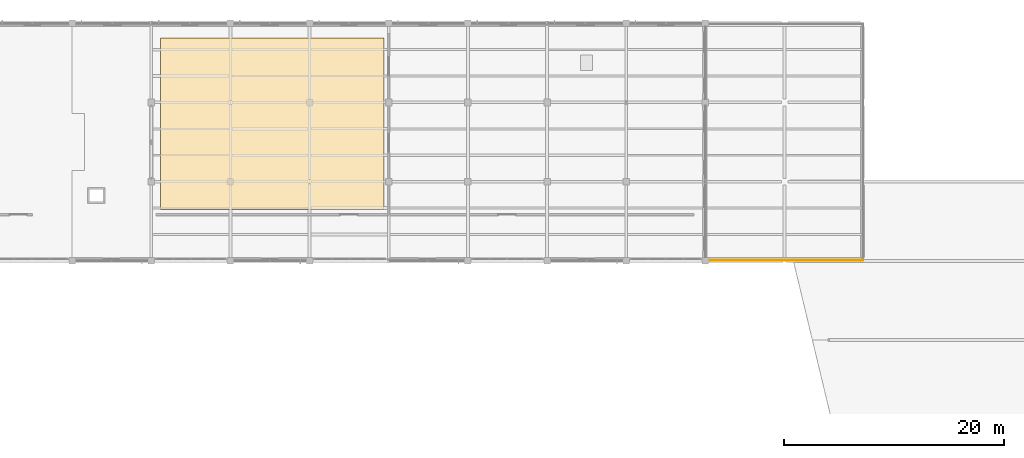
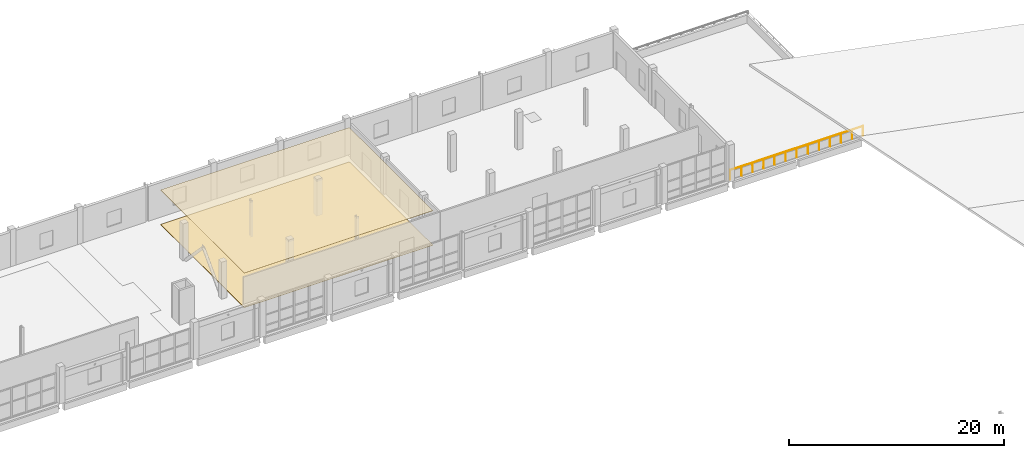
# One storey, part 91 of 94: 2 coverings, 1 railing.
"""IFC4 building model written with IfcOpenShell, lengths in metres."""

from ifc_helpers import new_model, si_unit, direction, frame, origin, origin_2d, place, context, subcontext, project, spatial, polyline, circle, outline, extrude, material, layer, layer_set, type_object, element, save


model = new_model("IFC4")

# Units and contexts
model_context = context("Model", 3, precision=1e-05, world=origin(), true_north=direction((0.0, 1.0)))
body_context = subcontext(model_context, "Body", "Model", "MODEL_VIEW")
ifc_project = project(units=[si_unit("LENGTHUNIT", "METRE"), si_unit("AREAUNIT", "SQUARE_METRE"), si_unit("VOLUMEUNIT", "CUBIC_METRE"), si_unit("PLANEANGLEUNIT", "RADIAN"), si_unit("MASSUNIT", "GRAM", prefix="KILO")], contexts=[model_context])

# Site, building, storey
site_placement = place(None, origin())
site = spatial("IfcSite", under=ifc_project, at=site_placement, CompositionType="ELEMENT")
building_placement = place(site_placement, origin())
building = spatial("IfcBuilding", under=site, at=building_placement, Name="Kalmorath City Hall", CompositionType="ELEMENT")
storey_placement = place(building_placement, frame((0.0, 0.0, 14.699951171875)))
storey = spatial("IfcBuildingStorey", under=building, at=storey_placement, Name="L03", CompositionType="ELEMENT", Elevation=14.699951171875)

# Railing
ifc_material_1 = material(Name="Stainless steel and laminated glass", Category="steel")
railing_type = type_object("IfcRailingType", Name="Outdoor terrace balustrade 1120", PredefinedType="BALUSTRADE", material=ifc_material_1)
railing_placement = place(storey_placement, frame((115.25, 93.64990234375, 0.0)))
element("IfcRailing", 1, at=railing_placement, inside=storey, type_object=railing_type, Name="L03 Committee East Roof Terrace balustrade #5", PredefinedType="BALUSTRADE", context=body_context, shape_type="SweptSolid", body=[
    extrude(circle(Radius=0.02392578125, at=origin_2d()), frame((0.0, 0.0, 1.09619140625), z_axis=(1.0, 0.0, 0.0), x_axis=(0.0, 1.0, 0.0)), (0.0, 0.0, 1.0), 14.300048828125),
    extrude(circle(Radius=0.02099609375, at=origin_2d()), origin(), (0.0, 0.0, 1.0), 1.072021484375),
    extrude(circle(Radius=0.02099609375, at=origin_2d()), frame((1.191650390625, 0.0, 0.0)), (0.0, 0.0, 1.0), 1.072021484375),
    extrude(circle(Radius=0.02099609375, at=origin_2d()), frame((2.38330078125, 0.0, 0.0)), (0.0, 0.0, 1.0), 1.072021484375),
    extrude(circle(Radius=0.02099609375, at=origin_2d()), frame((3.574951171875, 0.0, 0.0)), (0.0, 0.0, 1.0), 1.072021484375),
    extrude(circle(Radius=0.02099609375, at=origin_2d()), frame((4.7666015625, 0.0, 0.0)), (0.0, 0.0, 1.0), 1.072021484375),
    extrude(circle(Radius=0.02099609375, at=origin_2d()), frame((5.958251953125, 0.0, 0.0)), (0.0, 0.0, 1.0), 1.072021484375),
    extrude(circle(Radius=0.02099609375, at=origin_2d()), frame((7.14990234375, 0.0, 0.0)), (0.0, 0.0, 1.0), 1.072021484375),
    extrude(circle(Radius=0.02099609375, at=origin_2d()), frame((8.341796875, 0.0, 0.0)), (0.0, 0.0, 1.0), 1.072021484375),
    extrude(circle(Radius=0.02099609375, at=origin_2d()), frame((9.533447265625, 0.0, 0.0)), (0.0, 0.0, 1.0), 1.072021484375),
    extrude(circle(Radius=0.02099609375, at=origin_2d()), frame((10.72509765625, 0.0, 0.0)), (0.0, 0.0, 1.0), 1.072021484375),
    extrude(circle(Radius=0.02099609375, at=origin_2d()), frame((11.916748046875, 0.0, 0.0)), (0.0, 0.0, 1.0), 1.072021484375),
    extrude(circle(Radius=0.02099609375, at=origin_2d()), frame((13.1083984375, 0.0, 0.0)), (0.0, 0.0, 1.0), 1.072021484375),
    extrude(circle(Radius=0.02099609375, at=origin_2d()), frame((14.300048828125, 0.0, 0.0)), (0.0, 0.0, 1.0), 1.072021484375),
])

# Coverings
ifc_material_2 = material(Name="Perforated acoustic gypsum ceiling")
ifc_layer_1 = layer(ifc_material_2, 0.0400390625)
ifc_layer_set_1 = layer_set([ifc_layer_1], Name="Perforated acoustic gypsum ceiling")
covering_type_1 = type_object("IfcCoveringType", Name="Perforated acoustic suspended ceiling 40", PredefinedType="CEILING", material=ifc_layer_set_1)
covering_1_placement = place(storey_placement, frame((0.0, 0.0, 3.91015625)))
element("IfcCovering", 2, at=covering_1_placement, inside=storey, type_object=covering_type_1, Name="L03 Planning Commission Conference Suite acoustic ceiling", PredefinedType="CEILING", context=body_context, shape_type="SweptSolid", body=[
    extrude(outline(polyline([(85.949951171875, 113.85009765625), (85.949951171875, 98.25), (65.64990234375, 98.25), (65.64990234375, 113.85009765625), (85.949951171875, 113.85009765625)])), origin(), (0.0, 0.0, 1.0), 0.039794921875),
])
ifc_material_3 = material(Name="Polished terrazzo finish")
ifc_layer_2 = layer(ifc_material_3, 0.034912109375)
ifc_layer_set_2 = layer_set([ifc_layer_2], Name="Polished terrazzo finish")
covering_type_2 = type_object("IfcCoveringType", Name="Polished civic terrazzo floor finish 35", PredefinedType="FLOORING", material=ifc_layer_set_2)
covering_2_placement = place(storey_placement, origin())
element("IfcCovering", 3, at=covering_2_placement, inside=storey, type_object=covering_type_2, Name="L03 Planning Commission Conference Suite terrazzo flooring", PredefinedType="FLOORING", context=body_context, shape_type="SweptSolid", body=[
    extrude(outline(polyline([(85.949951171875, 113.85009765625), (85.949951171875, 98.25), (65.64990234375, 98.25), (65.64990234375, 113.85009765625), (85.949951171875, 113.85009765625)])), origin(), (0.0, 0.0, 1.0), 0.03515625),
])

save(model, "model.ifc")
